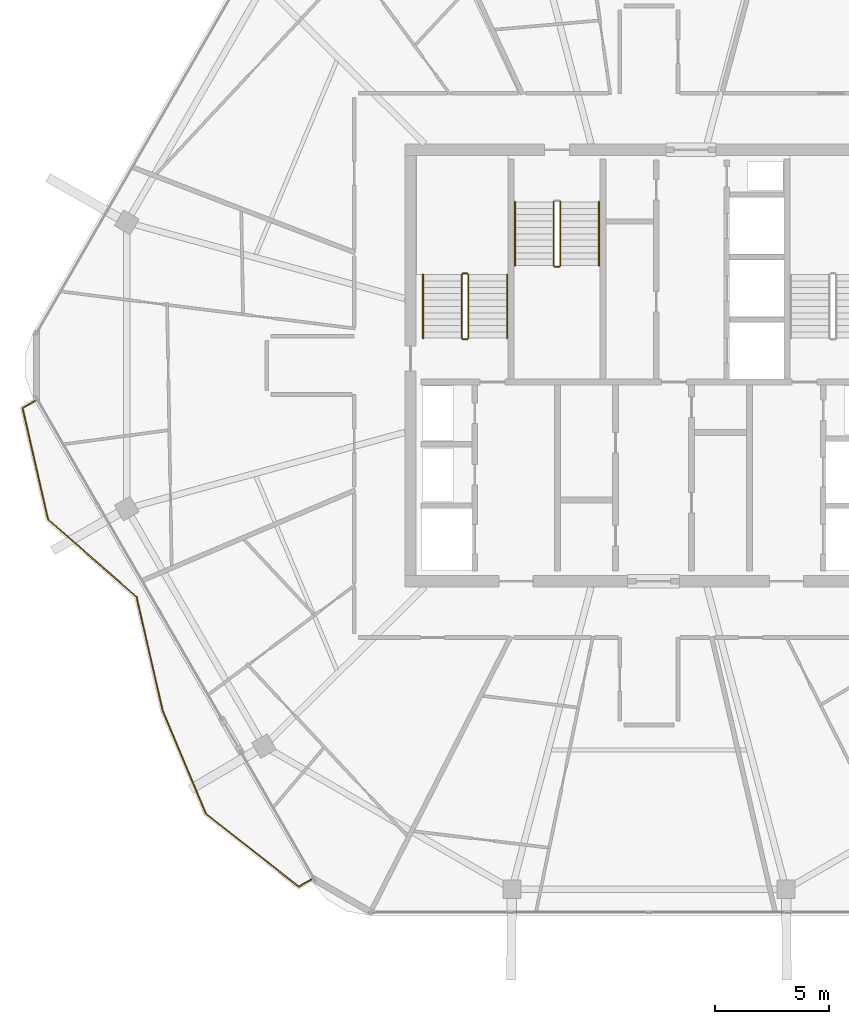
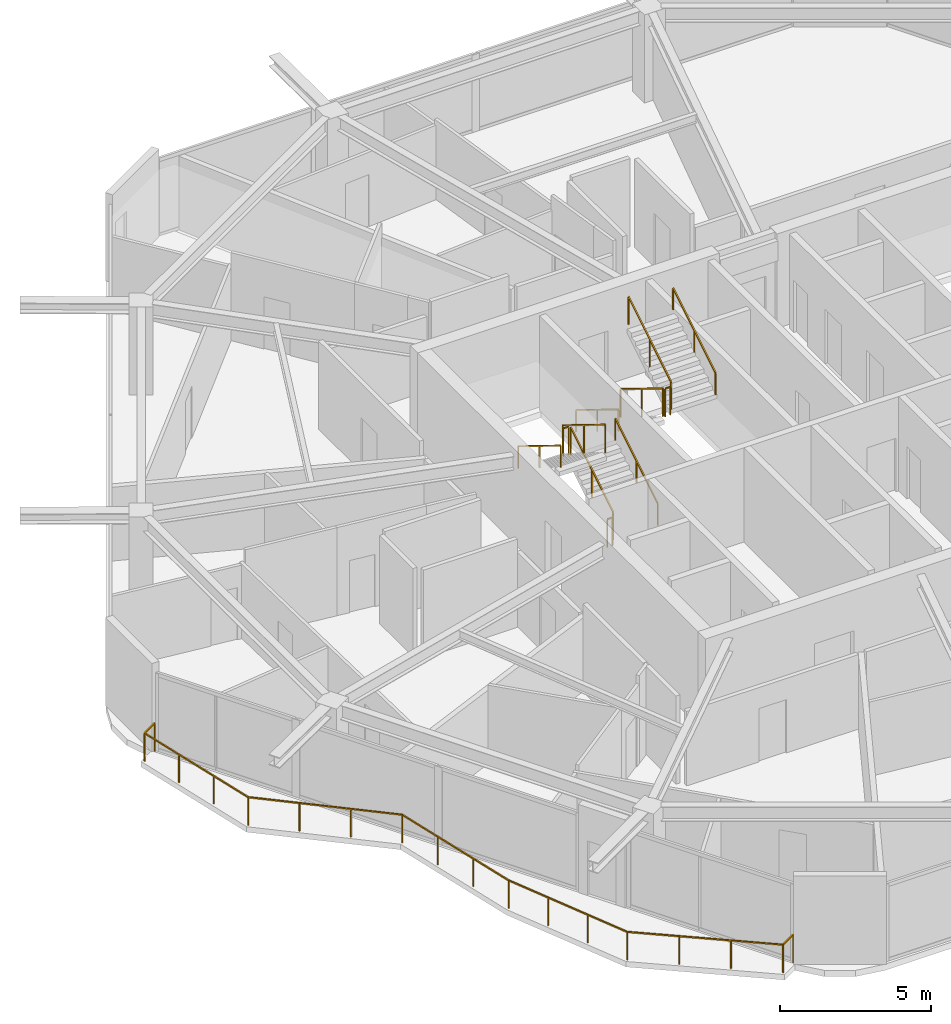
# One storey, part 19 of 21: 12 railings.
"""IFC4 building model written with IfcOpenShell, lengths in metres."""

from ifc_helpers import new_model, si_unit, direction, frame, origin, origin_2d, place, context, subcontext, project, spatial, rectangle, extrude, material, type_object, element, save


model = new_model("IFC4")

# Units and contexts
model_context = context("Model", 3, precision=1e-05, world=origin(), true_north=direction((0.0, 1.0)))
body_context = subcontext(model_context, "Body", "Model", "MODEL_VIEW")
ifc_project = project(units=[si_unit("LENGTHUNIT", "METRE"), si_unit("AREAUNIT", "SQUARE_METRE"), si_unit("VOLUMEUNIT", "CUBIC_METRE"), si_unit("PLANEANGLEUNIT", "RADIAN"), si_unit("MASSUNIT", "GRAM", prefix="KILO")], contexts=[model_context])

# Site, building, storey
site_placement = place(None, origin())
site = spatial("IfcSite", under=ifc_project, at=site_placement, CompositionType="ELEMENT")
building_placement = place(site_placement, origin())
building = spatial("IfcBuilding", under=site, at=building_placement, Name="Zuhravey Tower", CompositionType="ELEMENT")
storey_placement = place(building_placement, frame((0.0, 0.0, 319.60009765625)))
storey = spatial("IfcBuildingStorey", under=building, at=storey_placement, Name="L81", CompositionType="ELEMENT", Elevation=319.60009765625)

# Railings
ifc_material_1 = material(Name="Stainless steel 316 and laminated glass", Category="steel")
railing_type_1 = type_object("IfcRailingType", Name="Balcony & Terrace Guardrail 1150", PredefinedType="BALUSTRADE", material=ifc_material_1)
railing_1_placement = place(storey_placement, frame((21.16162109375, 9.382568359375, 0.0)))
element("IfcRailing", 1, at=railing_1_placement, inside=storey, type_object=railing_type_1, Name="L81 Face 4 Wave Balcony Guardrail GR1", PredefinedType="BALUSTRADE", context=body_context, shape_type="SweptSolid", body=[
    extrude(rectangle(XDim=0.048095703125, YDim=0.048095703125, at=origin_2d()), frame((-0.001708984375, -0.0009765625, 1.1259765625), z_axis=(-0.865931497966, -0.500162614387, 0.0), x_axis=(0.500162614387, -0.865931497966, 0.0)), (0.0, 0.0, 1.0), 0.668212890625),
    extrude(rectangle(XDim=0.048095703125, YDim=0.048095703125, at=origin_2d()), frame((-0.58349609375, -0.3349609375, 1.1259765625), z_axis=(-0.786315076181, 0.617825704362, 0.0), x_axis=(-0.617825704362, -0.786315076181, 0.0)), (0.0, 0.0, 1.0), 5.189208984375),
    extrude(rectangle(XDim=0.048095703125, YDim=0.048095703125, at=origin_2d()), frame((-4.666259765625, 2.874267578125, 1.1259765625), z_axis=(-0.388085890144, 0.921623210358, 0.0), x_axis=(-0.921623210358, -0.388085890144, 0.0)), (0.0, 0.0, 1.0), 4.9072265625),
    extrude(rectangle(XDim=0.048095703125, YDim=0.048095703125, at=origin_2d()), frame((-6.572021484375, 7.400634765625, 1.1259765625), z_axis=(-0.223777192002, 0.97464032768, 0.0), x_axis=(-0.97464032768, -0.223777192002, 0.0)), (0.0, 0.0, 1.0), 5.153076171875),
    extrude(rectangle(XDim=0.048095703125, YDim=0.048095703125, at=origin_2d()), frame((-7.72705078125, 12.42626953125, 1.1259765625), z_axis=(-0.752068744007, 0.659084671561, 0.0), x_axis=(-0.659084671561, -0.752068744007, 0.0)), (0.0, 0.0, 1.0), 5.178955078125),
    extrude(rectangle(XDim=0.048095703125, YDim=0.048095703125, at=origin_2d()), frame((-11.6240234375, 15.843017578125, 1.1259765625), z_axis=(-0.22305419024, 0.974806046461, 0.0), x_axis=(-0.974806046461, -0.22305419024, 0.0)), (0.0, 0.0, 1.0), 5.0244140625),
    extrude(rectangle(XDim=0.048095703125, YDim=0.048095703125, at=origin_2d()), frame((-12.743408203125, 20.74365234375, 1.1259765625), z_axis=(0.865910926182, 0.500198228624, 0.0), x_axis=(-0.500198228624, 0.865910926182, 0.0)), (0.0, 0.0, 1.0), 0.662353515625),
    extrude(rectangle(XDim=0.0419921875, YDim=0.0419921875, at=origin_2d()), origin(), (0.0, 0.0, 1.0), 1.099853515625),
    extrude(rectangle(XDim=0.0419921875, YDim=0.0419921875, at=origin_2d()), frame((-0.58203125, -0.336181640625, 0.0)), (0.0, 0.0, 1.0), 1.099853515625),
    extrude(rectangle(XDim=0.0419921875, YDim=0.0419921875, at=origin_2d()), frame((-1.943115234375, 0.7333984375, 0.0)), (0.0, 0.0, 1.0), 1.099853515625),
    extrude(rectangle(XDim=0.0419921875, YDim=0.0419921875, at=origin_2d()), frame((-3.304443359375, 1.802734375, 0.0)), (0.0, 0.0, 1.0), 1.099853515625),
    extrude(rectangle(XDim=0.0419921875, YDim=0.0419921875, at=origin_2d()), frame((-4.66552734375, 2.872314453125, 0.0)), (0.0, 0.0, 1.0), 1.099853515625),
    extrude(rectangle(XDim=0.0419921875, YDim=0.0419921875, at=origin_2d()), frame((-5.30078125, 4.381103515625, 0.0)), (0.0, 0.0, 1.0), 1.099853515625),
    extrude(rectangle(XDim=0.0419921875, YDim=0.0419921875, at=origin_2d()), frame((-5.936279296875, 5.889892578125, 0.0)), (0.0, 0.0, 1.0), 1.099853515625),
    extrude(rectangle(XDim=0.0419921875, YDim=0.0419921875, at=origin_2d()), frame((-6.571533203125, 7.398681640625, 0.0)), (0.0, 0.0, 1.0), 1.099853515625),
    extrude(rectangle(XDim=0.0419921875, YDim=0.0419921875, at=origin_2d()), frame((-6.956298828125, 9.07421875, 0.0)), (0.0, 0.0, 1.0), 1.099853515625),
    extrude(rectangle(XDim=0.0419921875, YDim=0.0419921875, at=origin_2d()), frame((-7.3408203125, 10.74951171875, 0.0)), (0.0, 0.0, 1.0), 1.099853515625),
    extrude(rectangle(XDim=0.0419921875, YDim=0.0419921875, at=origin_2d()), frame((-7.7255859375, 12.425048828125, 0.0)), (0.0, 0.0, 1.0), 1.099853515625),
    extrude(rectangle(XDim=0.0419921875, YDim=0.0419921875, at=origin_2d()), frame((-9.02490234375, 13.563720703125, 0.0)), (0.0, 0.0, 1.0), 1.099853515625),
    extrude(rectangle(XDim=0.0419921875, YDim=0.0419921875, at=origin_2d()), frame((-10.32421875, 14.702392578125, 0.0)), (0.0, 0.0, 1.0), 1.099853515625),
    extrude(rectangle(XDim=0.0419921875, YDim=0.0419921875, at=origin_2d()), frame((-11.62353515625, 15.841064453125, 0.0)), (0.0, 0.0, 1.0), 1.099853515625),
    extrude(rectangle(XDim=0.0419921875, YDim=0.0419921875, at=origin_2d()), frame((-11.997314453125, 17.474853515625, 0.0)), (0.0, 0.0, 1.0), 1.099853515625),
    extrude(rectangle(XDim=0.0419921875, YDim=0.0419921875, at=origin_2d()), frame((-12.371337890625, 19.10888671875, 0.0)), (0.0, 0.0, 1.0), 1.099853515625),
    extrude(rectangle(XDim=0.0419921875, YDim=0.0419921875, at=origin_2d()), frame((-12.7451171875, 20.74267578125, 0.0)), (0.0, 0.0, 1.0), 1.099853515625),
    extrude(rectangle(XDim=0.0419921875, YDim=0.0419921875, at=origin_2d()), frame((-12.168212890625, 21.075927734375, 0.0)), (0.0, 0.0, 1.0), 1.099853515625),
])
ifc_material_2 = material(Name="Brushed stainless steel", Category="steel")
railing_type_2 = type_object("IfcRailingType", Name="Stair Wall Handrail 900", PredefinedType="HANDRAIL", material=ifc_material_2)
railing_2_placement = place(storey_placement, frame((29.75, 33.199951171875, 0.172607421875)))
element("IfcRailing", 2, at=railing_2_placement, inside=storey, type_object=railing_type_2, Name="L81 ST1 stair handrail 1", PredefinedType="HANDRAIL", context=body_context, shape_type="SweptSolid", body=[
    extrude(rectangle(XDim=0.048095703125, YDim=0.048095703125, at=origin_2d()), frame((0.0, 0.001708984375, 0.876953125), z_axis=(0.0, 0.851089632645, 0.525020415988), x_axis=(-1.0, 0.0, 0.0)), (0.0, 0.0, 1.0), 3.285888671875),
    extrude(rectangle(XDim=0.0419921875, YDim=0.0419921875, at=origin_2d()), origin(), (0.0, 0.0, 1.0), 0.849853515625),
    extrude(rectangle(XDim=0.0419921875, YDim=0.0419921875, at=origin_2d()), frame((0.0, 1.39990234375, 0.86376953125)), (0.0, 0.0, 1.0), 0.849853515625),
    extrude(rectangle(XDim=0.0419921875, YDim=0.0419921875, at=origin_2d()), frame((0.0, 2.800048828125, 1.727294921875)), (0.0, 0.0, 1.0), 0.849853515625),
])
for number, where, name in (
    (3, (26.050048828125, 36.0, 2.072509765625), "L81 ST1 stair handrail 2"),
    (4, (30.10009765625, 39.199951171875, 0.172607421875), "L81 ST3 stair handrail 1"),
):
    element("IfcRailing", number, at=place(storey_placement, frame(where)), inside=storey, type_object=railing_type_2, Name=name, PredefinedType="HANDRAIL", context=body_context, shape_type="SweptSolid", body=[
        extrude(rectangle(XDim=0.048095703125, YDim=0.048095703125, at=origin_2d()), frame((0.0, -0.001708984375, 0.876953125), z_axis=(0.0, -0.851089632645, 0.525020415988), x_axis=(1.0, 0.0, 0.0)), (0.0, 0.0, 1.0), 3.285888671875),
        extrude(rectangle(XDim=0.0419921875, YDim=0.0419921875, at=origin_2d()), origin(), (0.0, 0.0, 1.0), 0.849853515625),
        extrude(rectangle(XDim=0.0419921875, YDim=0.0419921875, at=origin_2d()), frame((0.0, -1.39990234375, 0.86376953125)), (0.0, 0.0, 1.0), 0.849853515625),
        extrude(rectangle(XDim=0.0419921875, YDim=0.0419921875, at=origin_2d()), frame((0.0, -2.800048828125, 1.727294921875)), (0.0, 0.0, 1.0), 0.849853515625),
    ])
railing_3_placement = place(storey_placement, frame((33.800048828125, 36.39990234375, 2.072509765625)))
element("IfcRailing", 5, at=railing_3_placement, inside=storey, type_object=railing_type_2, Name="L81 ST3 stair handrail 2", PredefinedType="HANDRAIL", context=body_context, shape_type="SweptSolid", body=[
    extrude(rectangle(XDim=0.048095703125, YDim=0.048095703125, at=origin_2d()), frame((0.0, 0.001708984375, 0.876953125), z_axis=(0.0, 0.851089632645, 0.525020415988), x_axis=(-1.0, 0.0, 0.0)), (0.0, 0.0, 1.0), 3.285888671875),
    extrude(rectangle(XDim=0.0419921875, YDim=0.0419921875, at=origin_2d()), origin(), (0.0, 0.0, 1.0), 0.849853515625),
    extrude(rectangle(XDim=0.0419921875, YDim=0.0419921875, at=origin_2d()), frame((0.0, 1.39990234375, 0.86376953125)), (0.0, 0.0, 1.0), 0.849853515625),
    extrude(rectangle(XDim=0.0419921875, YDim=0.0419921875, at=origin_2d()), frame((0.0, 2.800048828125, 1.727294921875)), (0.0, 0.0, 1.0), 0.849853515625),
])
ifc_material_3 = material(Name="Painted tubular steel", Category="steel")
railing_type_3 = type_object("IfcRailingType", Name="Stair Well Guardrail 1150", PredefinedType="GUARDRAIL", material=ifc_material_3)
railing_4_placement = place(storey_placement, frame((28.050048828125, 33.199951171875, 0.172607421875)))
element("IfcRailing", 6, at=railing_4_placement, inside=storey, type_object=railing_type_3, Name="L81 ST1 stair guard 1", PredefinedType="GUARDRAIL", context=body_context, shape_type="SweptSolid", body=[
    extrude(rectangle(XDim=0.048095703125, YDim=0.048095703125, at=origin_2d()), frame((0.0, 0.001708984375, 1.126953125), z_axis=(0.0, 0.851089632645, 0.525020415988), x_axis=(-1.0, 0.0, 0.0)), (0.0, 0.0, 1.0), 3.285888671875),
    extrude(rectangle(XDim=0.0419921875, YDim=0.0419921875, at=origin_2d()), origin(), (0.0, 0.0, 1.0), 1.099853515625),
    extrude(rectangle(XDim=0.0419921875, YDim=0.0419921875, at=origin_2d()), frame((0.0, 1.39990234375, 0.86376953125)), (0.0, 0.0, 1.0), 1.099853515625),
    extrude(rectangle(XDim=0.0419921875, YDim=0.0419921875, at=origin_2d()), frame((0.0, 2.800048828125, 1.727294921875)), (0.0, 0.0, 1.0), 1.099853515625),
])
railing_5_placement = place(storey_placement, frame((28.0, 36.050048828125, 1.89990234375)))
element("IfcRailing", 7, at=railing_5_placement, inside=storey, type_object=railing_type_3, Name="L81 ST1 stair guard 2", PredefinedType="GUARDRAIL", context=body_context, shape_type="SweptSolid", body=[
    extrude(rectangle(XDim=0.048095703125, YDim=0.048095703125, at=origin_2d()), frame((-0.001953125, 0.0, 1.1259765625), z_axis=(-1.0, 0.0, 0.0), x_axis=(0.0, -1.0, 0.0)), (0.0, 0.0, 1.0), 0.196044921875),
    extrude(rectangle(XDim=0.0419921875, YDim=0.0419921875, at=origin_2d()), origin(), (0.0, 0.0, 1.0), 1.099853515625),
    extrude(rectangle(XDim=0.0419921875, YDim=0.0419921875, at=origin_2d()), frame((-0.199951171875, 0.0, 0.0)), (0.0, 0.0, 1.0), 1.099853515625),
])
railing_6_placement = place(storey_placement, frame((27.75, 36.0, 2.072509765625)))
element("IfcRailing", 8, at=railing_6_placement, inside=storey, type_object=railing_type_3, Name="L81 ST1 stair guard 3", PredefinedType="GUARDRAIL", context=body_context, shape_type="SweptSolid", body=[
    extrude(rectangle(XDim=0.048095703125, YDim=0.048095703125, at=origin_2d()), frame((0.0, -0.001708984375, 1.126953125), z_axis=(0.0, -0.851089632645, 0.525020415988), x_axis=(1.0, 0.0, 0.0)), (0.0, 0.0, 1.0), 3.285888671875),
    extrude(rectangle(XDim=0.0419921875, YDim=0.0419921875, at=origin_2d()), origin(), (0.0, 0.0, 1.0), 1.099853515625),
    extrude(rectangle(XDim=0.0419921875, YDim=0.0419921875, at=origin_2d()), frame((0.0, -1.39990234375, 0.86376953125)), (0.0, 0.0, 1.0), 1.099853515625),
    extrude(rectangle(XDim=0.0419921875, YDim=0.0419921875, at=origin_2d()), frame((0.0, -2.800048828125, 1.727294921875)), (0.0, 0.0, 1.0), 1.099853515625),
])
railing_7_placement = place(storey_placement, frame((28.0, 33.14990234375, 0.0)))
element("IfcRailing", 9, at=railing_7_placement, inside=storey, type_object=railing_type_3, Name="L81 ST1 stair guard 4", PredefinedType="GUARDRAIL", context=body_context, shape_type="SweptSolid", body=[
    extrude(rectangle(XDim=0.048095703125, YDim=0.048095703125, at=origin_2d()), frame((-0.001953125, 0.0, 1.1259765625), z_axis=(-1.0, 0.0, 0.0), x_axis=(0.0, -1.0, 0.0)), (0.0, 0.0, 1.0), 0.196044921875),
    extrude(rectangle(XDim=0.0419921875, YDim=0.0419921875, at=origin_2d()), origin(), (0.0, 0.0, 1.0), 1.099853515625),
    extrude(rectangle(XDim=0.0419921875, YDim=0.0419921875, at=origin_2d()), frame((-0.199951171875, 0.0, 0.0)), (0.0, 0.0, 1.0), 1.099853515625),
])
railing_8_placement = place(storey_placement, frame((31.800048828125, 39.199951171875, 0.172607421875)))
element("IfcRailing", 10, at=railing_8_placement, inside=storey, type_object=railing_type_3, Name="L81 ST3 stair guard 1", PredefinedType="GUARDRAIL", context=body_context, shape_type="SweptSolid", body=[
    extrude(rectangle(XDim=0.048095703125, YDim=0.048095703125, at=origin_2d()), frame((0.0, -0.001708984375, 1.126953125), z_axis=(0.0, -0.851089632645, 0.525020415988), x_axis=(1.0, 0.0, 0.0)), (0.0, 0.0, 1.0), 3.285888671875),
    extrude(rectangle(XDim=0.0419921875, YDim=0.0419921875, at=origin_2d()), origin(), (0.0, 0.0, 1.0), 1.099853515625),
    extrude(rectangle(XDim=0.0419921875, YDim=0.0419921875, at=origin_2d()), frame((0.0, -1.39990234375, 0.86376953125)), (0.0, 0.0, 1.0), 1.099853515625),
    extrude(rectangle(XDim=0.0419921875, YDim=0.0419921875, at=origin_2d()), frame((0.0, -2.800048828125, 1.727294921875)), (0.0, 0.0, 1.0), 1.099853515625),
])
railing_9_placement = place(storey_placement, frame((31.85009765625, 36.35009765625, 1.89990234375)))
element("IfcRailing", 11, at=railing_9_placement, inside=storey, type_object=railing_type_3, Name="L81 ST3 stair guard 2", PredefinedType="GUARDRAIL", context=body_context, shape_type="SweptSolid", body=[
    extrude(rectangle(XDim=0.048095703125, YDim=0.048095703125, at=origin_2d()), frame((0.001953125, 0.0, 1.1259765625), z_axis=(1.0, 0.0, 0.0), x_axis=(0.0, 1.0, 0.0)), (0.0, 0.0, 1.0), 0.196044921875),
    extrude(rectangle(XDim=0.0419921875, YDim=0.0419921875, at=origin_2d()), origin(), (0.0, 0.0, 1.0), 1.099853515625),
    extrude(rectangle(XDim=0.0419921875, YDim=0.0419921875, at=origin_2d()), frame((0.199951171875, 0.0, 0.0)), (0.0, 0.0, 1.0), 1.099853515625),
])
railing_10_placement = place(storey_placement, frame((32.10009765625, 36.39990234375, 2.072509765625)))
element("IfcRailing", 12, at=railing_10_placement, inside=storey, type_object=railing_type_3, Name="L81 ST3 stair guard 3", PredefinedType="GUARDRAIL", context=body_context, shape_type="SweptSolid", body=[
    extrude(rectangle(XDim=0.048095703125, YDim=0.048095703125, at=origin_2d()), frame((0.0, 0.001708984375, 1.126953125), z_axis=(0.0, 0.851089632645, 0.525020415988), x_axis=(-1.0, 0.0, 0.0)), (0.0, 0.0, 1.0), 3.285888671875),
    extrude(rectangle(XDim=0.0419921875, YDim=0.0419921875, at=origin_2d()), origin(), (0.0, 0.0, 1.0), 1.099853515625),
    extrude(rectangle(XDim=0.0419921875, YDim=0.0419921875, at=origin_2d()), frame((0.0, 1.39990234375, 0.86376953125)), (0.0, 0.0, 1.0), 1.099853515625),
    extrude(rectangle(XDim=0.0419921875, YDim=0.0419921875, at=origin_2d()), frame((0.0, 2.800048828125, 1.727294921875)), (0.0, 0.0, 1.0), 1.099853515625),
])

save(model, "model.ifc")
